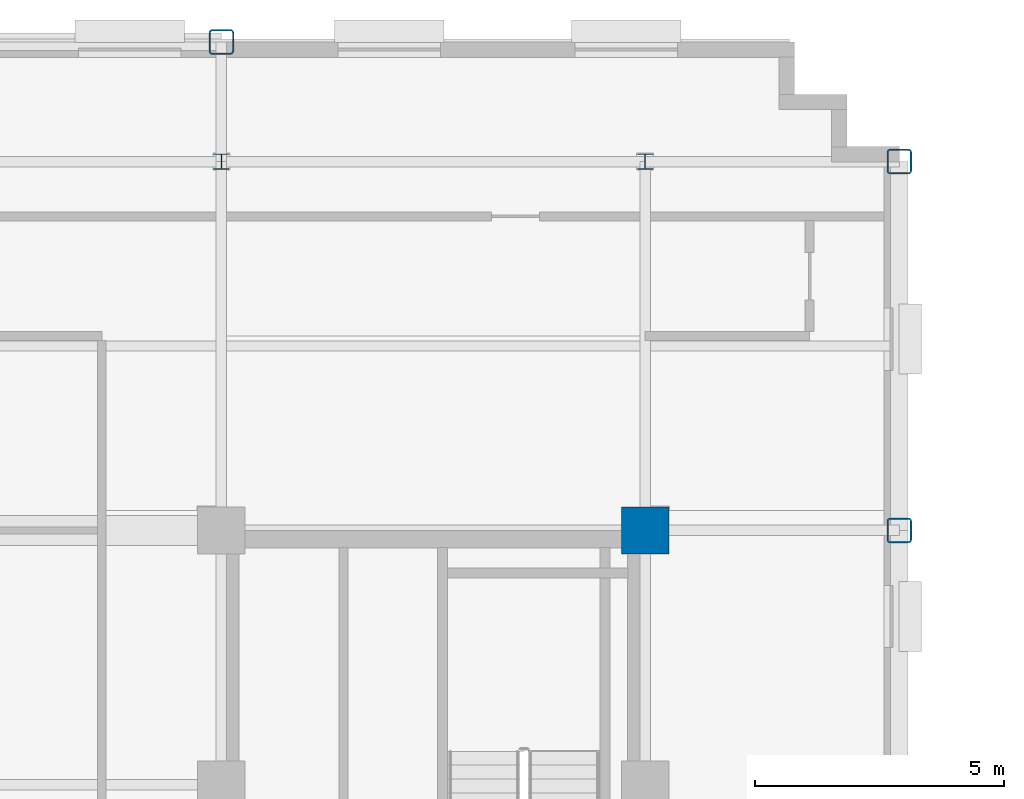
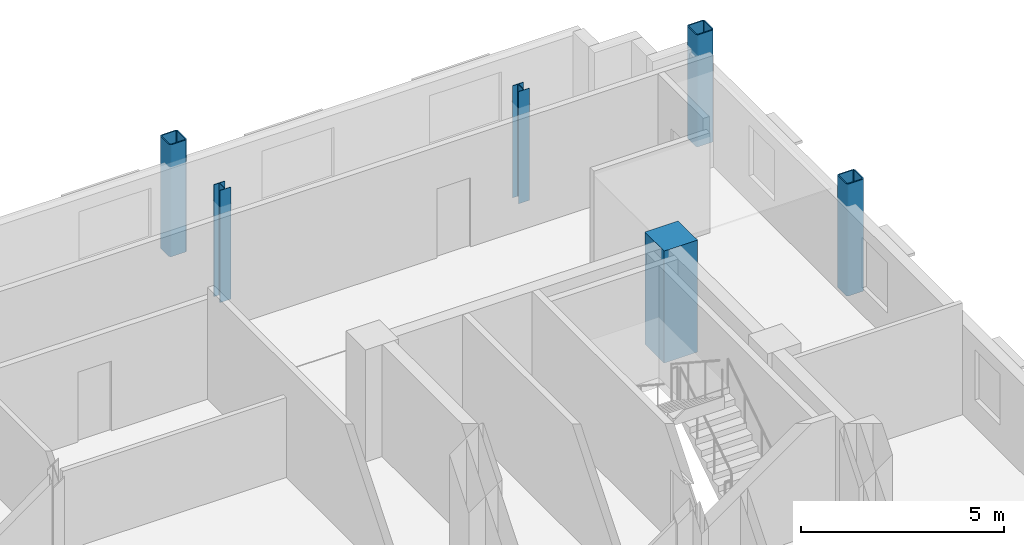
# One storey, part 4 of 15: 6 columns.
"""IFC4 building model written with IfcOpenShell, lengths in metres."""

import ifcopenshell
import ifcopenshell.guid

model = None  # the IFC model being written
_history = None  # IfcOwnerHistory: only IFC2X3 demands one
_inside = {}  # id of a spatial element -> (the spatial element, [elements in it])
_under = {}  # id of a project, library or spatial element -> (it, [spatial elements below it])
_declared = {}  # id of a project -> (the project, [libraries it declares])
_typed = {}  # id of a type object -> (the type object, [elements of that type])
_made_of = {}  # id of a material, layer set ... -> (it, [elements and type objects made of it])


def new_model(schema):
    """Start an empty IFC model of exactly this schema.

    Asked for "IFC4X3", IfcOpenShell would pick the latest addendum, in which some entities
    have other attributes; the version numbers below select the first issue.
    IFC2X3 requires an IfcOwnerHistory on every rooted entity: one is made here for all.
    """
    global model, _history
    if schema == "IFC4X3":
        model = ifcopenshell.file(schema_version=(4, 3, 0, 0))
    else:
        model = ifcopenshell.file(schema=schema)
    _inside.clear()
    _under.clear()
    _declared.clear()
    _typed.clear()
    _made_of.clear()
    _history = None
    if model.schema == "IFC2X3":
        org = make("IfcOrganization", Name="unknown")
        user = make(
            "IfcPersonAndOrganization",
            ThePerson=make("IfcPerson", FamilyName="unknown"),
            TheOrganization=org,
        )
        app = make(
            "IfcApplication",
            ApplicationDeveloper=org,
            Version="unknown",
            ApplicationFullName="unknown",
            ApplicationIdentifier="unknown",
        )
        _history = make(
            "IfcOwnerHistory",
            OwningUser=user,
            OwningApplication=app,
            ChangeAction="ADDED",
            CreationDate=0,
        )
    return model


def make(cls, **values):
    """One entity of the class cls with the attributes given. An attribute that is None is left unset."""
    return model.create_entity(
        cls, **{name: value for name, value in values.items() if value is not None}
    )


def rooted(cls, **values):
    """An entity with a GlobalId (a new one), such as an element, a storey or a relation."""
    return make(cls, GlobalId=ifcopenshell.guid.new(), OwnerHistory=_history, **values)


def si_unit(unit_type, name, prefix=None):
    """IfcSIUnit, for example si_unit("LENGTHUNIT", "METRE", prefix="MILLI")."""
    return make("IfcSIUnit", UnitType=unit_type, Prefix=prefix, Name=name)


def assignment(units):
    """IfcUnitAssignment: the units of a project."""
    return None if units is None else make("IfcUnitAssignment", Units=units)


def point(xyz):
    """IfcCartesianPoint."""
    return None if xyz is None else make("IfcCartesianPoint", Coordinates=xyz)


def direction(xyz):
    """IfcDirection."""
    return None if xyz is None else make("IfcDirection", DirectionRatios=xyz)


def frame(location, z_axis=None, x_axis=None):
    """IfcAxis2Placement3D, a coordinate frame: its origin and axes. An axis left out is left unset."""
    return make(
        "IfcAxis2Placement3D",
        Location=point(location),
        Axis=direction(z_axis),
        RefDirection=direction(x_axis),
    )


def frame_2d(location, x_axis=None):
    """IfcAxis2Placement2D, a coordinate frame in the plane: its origin and x axis."""
    return make(
        "IfcAxis2Placement2D", Location=point(location), RefDirection=direction(x_axis)
    )


def origin():
    """The frame at (0, 0, 0) with its axes left unset."""
    return frame((0.0, 0.0, 0.0))


def origin_2d():
    """The frame at (0, 0) in the plane with its x axis left unset."""
    return frame_2d((0.0, 0.0))


def place(relative_to, where):
    """IfcLocalPlacement: puts the frame where relative to a parent placement (None: the world)."""
    return make(
        "IfcLocalPlacement", PlacementRelTo=relative_to, RelativePlacement=where
    )


def context(
    kind, dimensions, precision=None, world=None, true_north=None, identifier=None
):
    """IfcGeometricRepresentationContext, for example the 3D "Model" context."""
    return make(
        "IfcGeometricRepresentationContext",
        ContextIdentifier=identifier,
        ContextType=kind,
        CoordinateSpaceDimension=dimensions,
        Precision=precision,
        WorldCoordinateSystem=world,
        TrueNorth=true_north,
    )


def subcontext(parent, identifier, kind, view, scale=None):
    """IfcGeometricRepresentationSubContext, for example "Body" below "Model"."""
    return make(
        "IfcGeometricRepresentationSubContext",
        ContextIdentifier=identifier,
        ContextType=kind,
        ParentContext=parent,
        TargetScale=scale,
        TargetView=view,
    )


def project(units=None, contexts=None):
    """IfcProject with its units and contexts."""
    return rooted(
        "IfcProject",
        Name="project",
        RepresentationContexts=contexts,
        UnitsInContext=assignment(units),
    )


def spatial(cls, under=None, at=None, **own):
    """A site, building, storey or space (cls), placed at a placement, below another one or the project."""
    s = rooted(cls, ObjectPlacement=at, **own)
    if under is not None:
        _under.setdefault(under.id(), (under, []))[1].append(s)
    return s


def profile(cls, at=None, kind="AREA", **sizes):
    """A parametric profile (cls). Its sizes go by their IFC names, for example OverallWidth=200.0."""
    return make(cls, ProfileType=kind, Position=at, **sizes)


def rectangle(**sizes):
    """IfcRectangleProfileDef."""
    return profile("IfcRectangleProfileDef", **sizes)


def hollow_rectangle(**sizes):
    """IfcRectangleHollowProfileDef."""
    return profile("IfcRectangleHollowProfileDef", **sizes)


def i_section(**sizes):
    """IfcIShapeProfileDef."""
    return profile("IfcIShapeProfileDef", **sizes)


def extrude(swept, where, along, depth):
    """IfcExtrudedAreaSolid: the profile swept, set in the frame where, extruded along a direction by depth."""
    return make(
        "IfcExtrudedAreaSolid",
        SweptArea=swept,
        Position=where,
        ExtrudedDirection=direction(along),
        Depth=depth,
    )


def shape(context_of_items, identifier, shape_type, items):
    """IfcShapeRepresentation: the items that make up one representation, for example the "Body"."""
    return make(
        "IfcShapeRepresentation",
        ContextOfItems=context_of_items,
        RepresentationIdentifier=identifier,
        RepresentationType=shape_type,
        Items=items,
    )


def material(Name=None, Category=None):
    """IfcMaterial."""
    return make("IfcMaterial", Name=Name, Category=Category)


def material_profile(
    of_material, cross_section, Name=None, Category=None, Priority=None
):
    """IfcMaterialProfile: a cross section and its material."""
    return make(
        "IfcMaterialProfile",
        Name=Name,
        Material=of_material,
        Profile=cross_section,
        Priority=Priority,
        Category=Category,
    )


def profile_set(profiles, Name=None, composite=None):
    """IfcMaterialProfileSet."""
    return make(
        "IfcMaterialProfileSet",
        Name=Name,
        MaterialProfiles=profiles,
        CompositeProfile=composite,
    )


def made_of(thing, what):
    """Note that an element or type object is made of a material, layer set ...; save() writes the relation."""
    if what is not None:
        _made_of.setdefault(what.id(), (what, []))[1].append(thing)
    return thing


def type_object(cls, material=None, **own):
    """A type object (cls), such as IfcWallType, which elements share."""
    return made_of(rooted(cls, **own), material)


def element(
    cls,
    number,
    at=None,
    inside=None,
    cuts=None,
    type_object=None,
    material=None,
    context=None,
    identifier="Body",
    shape_type=None,
    held_by="IfcProductDefinitionShape",
    body=None,
    shapes=None,
    **own,
):
    """One element of the class cls, such as IfcWall. Its Tag is "e" and its number.

    at: its placement. inside: the storey or other place that contains it. cuts: it is an
    opening in that element (IfcRelVoidsElement). A single representation is given by context,
    identifier, shape_type and body (its items); several are given by shapes. held_by: the class
    of the entity that holds the representations. save() writes the other relations.
    """
    e = rooted(cls, Tag="e%d" % number, ObjectPlacement=at, **own)
    if body is not None:
        shapes = [shape(context, identifier, shape_type, body)]
    if shapes is not None:
        e.Representation = make(held_by, Representations=shapes)
    if inside is not None:
        _inside.setdefault(inside.id(), (inside, []))[1].append(e)
    if cuts is not None:
        rooted(
            "IfcRelVoidsElement", RelatingBuildingElement=cuts, RelatedOpeningElement=e
        )
    if type_object is not None:
        _typed.setdefault(type_object.id(), (type_object, []))[1].append(e)
    return made_of(e, material)


def aggregate(whole, parts):
    """IfcRelAggregates: a whole, such as a stair, and the parts it consists of."""
    return rooted("IfcRelAggregates", RelatingObject=whole, RelatedObjects=parts)


def save(model, path):
    """Write the relations noted so far, then the file.

    IfcRelAggregates (storeys below a building ...), IfcRelContainedInSpatialStructure (elements
    in a storey), IfcRelDefinesByType, IfcRelAssociatesMaterial and IfcRelDeclares: one each for
    every whole, place, type object, material and project.
    """
    for whole, parts in _under.values():
        aggregate(whole, parts)
    for where, things in _inside.values():
        rooted(
            "IfcRelContainedInSpatialStructure",
            RelatedElements=things,
            RelatingStructure=where,
        )
    for kind, things in _typed.values():
        rooted("IfcRelDefinesByType", RelatedObjects=things, RelatingType=kind)
    for what, things in _made_of.values():
        rooted("IfcRelAssociatesMaterial", RelatedObjects=things, RelatingMaterial=what)
    for by, libraries in _declared.values():
        rooted("IfcRelDeclares", RelatingContext=by, RelatedDefinitions=libraries)
    model.write(path)


model = new_model("IFC4")

# Units and contexts
model_context = context("Model", 3, precision=1e-05, world=origin(), true_north=direction((0.0, 1.0)))
body_context = subcontext(model_context, "Body", "Model", "MODEL_VIEW")
ifc_project = project(units=[si_unit("LENGTHUNIT", "METRE"), si_unit("AREAUNIT", "SQUARE_METRE"), si_unit("VOLUMEUNIT", "CUBIC_METRE"), si_unit("PLANEANGLEUNIT", "RADIAN"), si_unit("MASSUNIT", "GRAM", prefix="KILO")], contexts=[model_context])

# Site, building, storey
site_placement = place(None, origin())
site = spatial("IfcSite", under=ifc_project, at=site_placement, CompositionType="ELEMENT")
building_placement = place(site_placement, origin())
building = spatial("IfcBuilding", under=site, at=building_placement, Name="Nuvemarco Arch Tower", CompositionType="ELEMENT")
storey_placement = place(building_placement, frame((0.0, 0.0, 198.199951171875)))
storey = spatial("IfcBuildingStorey", under=building, at=storey_placement, Name="L52", CompositionType="ELEMENT", Elevation=198.199951171875)

# Columns
ifc_material_1 = material(Name="Concrete C50/60", Category="concrete")
ifc_material_profile_1 = material_profile(ifc_material_1, rectangle(XDim=0.949951171875, YDim=0.949951171875, at=origin_2d()), Name="RC-COL-950x950")
ifc_profile_set_1 = profile_set([ifc_material_profile_1], Name="Concrete C50/60")
column_type_1 = type_object("IfcColumnType", Name="COL-CORE-950", PredefinedType="COLUMN", material=ifc_profile_set_1)
column_placement = place(storey_placement, frame((17.5, 9.60009765625, 0.0), z_axis=(0.0, 0.0, 1.0), x_axis=(1.0, 0.0, 0.0)))
element("IfcColumn", 1, at=column_placement, inside=storey, type_object=column_type_1, Name="L52 column CC_+17.5_+9.6", PredefinedType="COLUMN", context=body_context, shape_type="SweptSolid", body=[
    extrude(rectangle(XDim=0.949951171875, YDim=0.949951171875, at=origin_2d()), origin(), (0.0, 0.0, 1.0), 3.3701171875),
])
ifc_material_2 = material(Name="Steel S355", Category="steel")
ifc_material_profile_2 = material_profile(ifc_material_2, hollow_rectangle(XDim=0.5, YDim=0.5, WallThickness=0.031982421875, InnerFilletRadius=0.031982421875, OuterFilletRadius=0.06396484375, at=origin_2d()), Name="SHS500x500x32")
ifc_profile_set_2 = profile_set([ifc_material_profile_2], Name="Steel S355")
column_type_2 = type_object("IfcColumnType", Name="COL-EXO-500", PredefinedType="COLUMN", material=ifc_profile_set_2)
for number, where, z_axis, x_axis, name in (
    (2, (22.60009765625, 9.60009765625, 0.0), (0.0, 0.0, 1.0), (1.0, 0.0, 0.0), "L52 column CX_+22.6_+9.6"),
    (3, (22.60009765625, 17.0, 0.0), (0.0, 0.0, 1.0), (1.0, 0.0, 0.0), "L52 column CX_+22.6_+17.0"),
    (4, (9.0, 19.39990234375, 0.0), (0.0, 0.0, 1.0), (1.0, 0.0, 0.0), "L52 column CY_+9.0_+19.4"),
):
    element("IfcColumn", number, at=place(storey_placement, frame(where, z_axis=z_axis, x_axis=x_axis)), inside=storey, type_object=column_type_2, Name=name, PredefinedType="COLUMN", context=body_context, shape_type="SweptSolid", body=[
        extrude(hollow_rectangle(XDim=0.5, YDim=0.5, WallThickness=0.031982421875, InnerFilletRadius=0.031982421875, OuterFilletRadius=0.06396484375, at=origin_2d()), origin(), (0.0, 0.0, 1.0), 3.3701171875),
    ])
ifc_material_profile_3 = material_profile(ifc_material_2, i_section(OverallWidth=0.31005859375, OverallDepth=0.31005859375, WebThickness=0.015380859375, FlangeThickness=0.015380859375, FilletRadius=0.014892578125, at=origin_2d()), Name="HP310x110")
ifc_profile_set_3 = profile_set([ifc_material_profile_3], Name="Steel S355")
column_type_3 = type_object("IfcColumnType", Name="COL-STL-HP310", PredefinedType="COLUMN", material=ifc_profile_set_3)
for number, where, z_axis, x_axis, name in (
    (5, (9.0, 17.0, 0.0), (0.0, 0.0, 1.0), (1.0, 0.0, 0.0), "L52 column CI_+9.0_+17.0"),
    (6, (17.5, 17.0, 0.0), (0.0, 0.0, 1.0), (1.0, 0.0, 0.0), "L52 column CI_+17.5_+17.0"),
):
    element("IfcColumn", number, at=place(storey_placement, frame(where, z_axis=z_axis, x_axis=x_axis)), inside=storey, type_object=column_type_3, Name=name, PredefinedType="COLUMN", context=body_context, shape_type="SweptSolid", body=[
        extrude(i_section(OverallWidth=0.31005859375, OverallDepth=0.31005859375, WebThickness=0.015380859375, FlangeThickness=0.015380859375, FilletRadius=0.014892578125, at=origin_2d()), origin(), (0.0, 0.0, 1.0), 3.3701171875),
    ])

save(model, "model.ifc")
